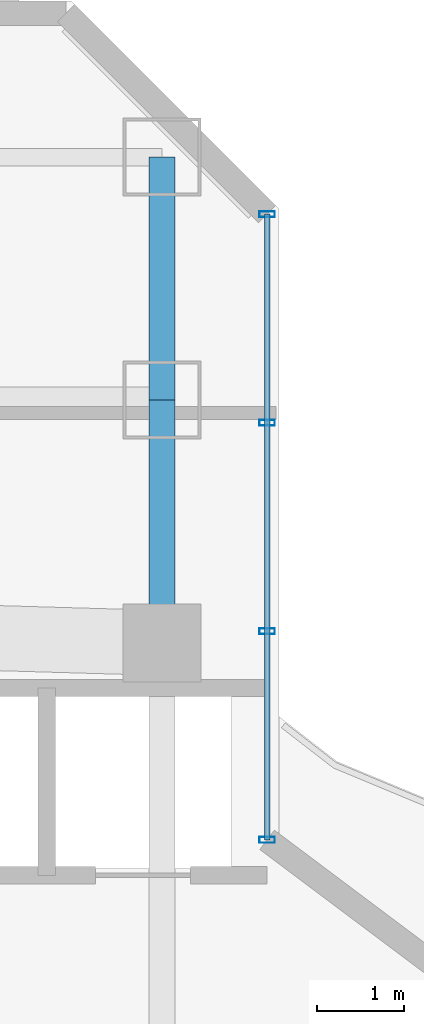
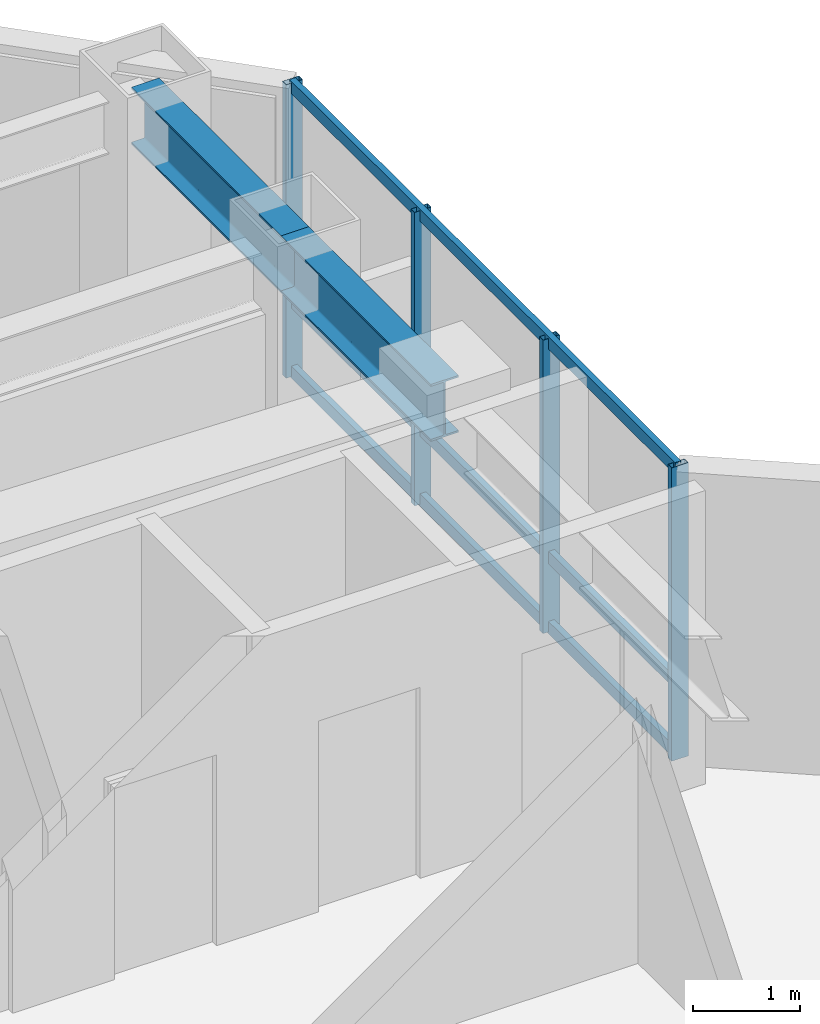
# One storey, part 19 of 29: 7 members, 2 beams, 1 element without a shape of its own.
"""IFC4 building model written with IfcOpenShell, lengths in metres."""

import ifcopenshell
import ifcopenshell.guid

model = None  # the IFC model being written
_history = None  # IfcOwnerHistory: only IFC2X3 demands one
_inside = {}  # id of a spatial element -> (the spatial element, [elements in it])
_under = {}  # id of a project, library or spatial element -> (it, [spatial elements below it])
_declared = {}  # id of a project -> (the project, [libraries it declares])
_typed = {}  # id of a type object -> (the type object, [elements of that type])
_made_of = {}  # id of a material, layer set ... -> (it, [elements and type objects made of it])


def new_model(schema):
    """Start an empty IFC model of exactly this schema.

    Asked for "IFC4X3", IfcOpenShell would pick the latest addendum, in which some entities
    have other attributes; the version numbers below select the first issue.
    IFC2X3 requires an IfcOwnerHistory on every rooted entity: one is made here for all.
    """
    global model, _history
    if schema == "IFC4X3":
        model = ifcopenshell.file(schema_version=(4, 3, 0, 0))
    else:
        model = ifcopenshell.file(schema=schema)
    _inside.clear()
    _under.clear()
    _declared.clear()
    _typed.clear()
    _made_of.clear()
    _history = None
    if model.schema == "IFC2X3":
        org = make("IfcOrganization", Name="unknown")
        user = make(
            "IfcPersonAndOrganization",
            ThePerson=make("IfcPerson", FamilyName="unknown"),
            TheOrganization=org,
        )
        app = make(
            "IfcApplication",
            ApplicationDeveloper=org,
            Version="unknown",
            ApplicationFullName="unknown",
            ApplicationIdentifier="unknown",
        )
        _history = make(
            "IfcOwnerHistory",
            OwningUser=user,
            OwningApplication=app,
            ChangeAction="ADDED",
            CreationDate=0,
        )
    return model


def make(cls, **values):
    """One entity of the class cls with the attributes given. An attribute that is None is left unset."""
    return model.create_entity(
        cls, **{name: value for name, value in values.items() if value is not None}
    )


def rooted(cls, **values):
    """An entity with a GlobalId (a new one), such as an element, a storey or a relation."""
    return make(cls, GlobalId=ifcopenshell.guid.new(), OwnerHistory=_history, **values)


def si_unit(unit_type, name, prefix=None):
    """IfcSIUnit, for example si_unit("LENGTHUNIT", "METRE", prefix="MILLI")."""
    return make("IfcSIUnit", UnitType=unit_type, Prefix=prefix, Name=name)


def assignment(units):
    """IfcUnitAssignment: the units of a project."""
    return None if units is None else make("IfcUnitAssignment", Units=units)


def point(xyz):
    """IfcCartesianPoint."""
    return None if xyz is None else make("IfcCartesianPoint", Coordinates=xyz)


def direction(xyz):
    """IfcDirection."""
    return None if xyz is None else make("IfcDirection", DirectionRatios=xyz)


def frame(location, z_axis=None, x_axis=None):
    """IfcAxis2Placement3D, a coordinate frame: its origin and axes. An axis left out is left unset."""
    return make(
        "IfcAxis2Placement3D",
        Location=point(location),
        Axis=direction(z_axis),
        RefDirection=direction(x_axis),
    )


def frame_2d(location, x_axis=None):
    """IfcAxis2Placement2D, a coordinate frame in the plane: its origin and x axis."""
    return make(
        "IfcAxis2Placement2D", Location=point(location), RefDirection=direction(x_axis)
    )


def origin():
    """The frame at (0, 0, 0) with its axes left unset."""
    return frame((0.0, 0.0, 0.0))


def origin_2d():
    """The frame at (0, 0) in the plane with its x axis left unset."""
    return frame_2d((0.0, 0.0))


def place(relative_to, where):
    """IfcLocalPlacement: puts the frame where relative to a parent placement (None: the world)."""
    return make(
        "IfcLocalPlacement", PlacementRelTo=relative_to, RelativePlacement=where
    )


def context(
    kind, dimensions, precision=None, world=None, true_north=None, identifier=None
):
    """IfcGeometricRepresentationContext, for example the 3D "Model" context."""
    return make(
        "IfcGeometricRepresentationContext",
        ContextIdentifier=identifier,
        ContextType=kind,
        CoordinateSpaceDimension=dimensions,
        Precision=precision,
        WorldCoordinateSystem=world,
        TrueNorth=true_north,
    )


def subcontext(parent, identifier, kind, view, scale=None):
    """IfcGeometricRepresentationSubContext, for example "Body" below "Model"."""
    return make(
        "IfcGeometricRepresentationSubContext",
        ContextIdentifier=identifier,
        ContextType=kind,
        ParentContext=parent,
        TargetScale=scale,
        TargetView=view,
    )


def project(units=None, contexts=None):
    """IfcProject with its units and contexts."""
    return rooted(
        "IfcProject",
        Name="project",
        RepresentationContexts=contexts,
        UnitsInContext=assignment(units),
    )


def spatial(cls, under=None, at=None, **own):
    """A site, building, storey or space (cls), placed at a placement, below another one or the project."""
    s = rooted(cls, ObjectPlacement=at, **own)
    if under is not None:
        _under.setdefault(under.id(), (under, []))[1].append(s)
    return s


def profile(cls, at=None, kind="AREA", **sizes):
    """A parametric profile (cls). Its sizes go by their IFC names, for example OverallWidth=200.0."""
    return make(cls, ProfileType=kind, Position=at, **sizes)


def hollow_rectangle(**sizes):
    """IfcRectangleHollowProfileDef."""
    return profile("IfcRectangleHollowProfileDef", **sizes)


def i_section(**sizes):
    """IfcIShapeProfileDef."""
    return profile("IfcIShapeProfileDef", **sizes)


def extrude(swept, where, along, depth):
    """IfcExtrudedAreaSolid: the profile swept, set in the frame where, extruded along a direction by depth."""
    return make(
        "IfcExtrudedAreaSolid",
        SweptArea=swept,
        Position=where,
        ExtrudedDirection=direction(along),
        Depth=depth,
    )


def shape(context_of_items, identifier, shape_type, items):
    """IfcShapeRepresentation: the items that make up one representation, for example the "Body"."""
    return make(
        "IfcShapeRepresentation",
        ContextOfItems=context_of_items,
        RepresentationIdentifier=identifier,
        RepresentationType=shape_type,
        Items=items,
    )


def material(Name=None, Category=None):
    """IfcMaterial."""
    return make("IfcMaterial", Name=Name, Category=Category)


def layer(
    of_material, thickness, ventilated=None, Name=None, Category=None, Priority=None
):
    """IfcMaterialLayer: one layer of a wall or slab, of a material (None: an air gap)."""
    return make(
        "IfcMaterialLayer",
        Material=of_material,
        LayerThickness=thickness,
        IsVentilated=ventilated,
        Name=Name,
        Category=Category,
        Priority=Priority,
    )


def layer_set(layers, Name=None):
    """IfcMaterialLayerSet."""
    return make("IfcMaterialLayerSet", MaterialLayers=layers, LayerSetName=Name)


def material_profile(
    of_material, cross_section, Name=None, Category=None, Priority=None
):
    """IfcMaterialProfile: a cross section and its material."""
    return make(
        "IfcMaterialProfile",
        Name=Name,
        Material=of_material,
        Profile=cross_section,
        Priority=Priority,
        Category=Category,
    )


def profile_set(profiles, Name=None, composite=None):
    """IfcMaterialProfileSet."""
    return make(
        "IfcMaterialProfileSet",
        Name=Name,
        MaterialProfiles=profiles,
        CompositeProfile=composite,
    )


def made_of(thing, what):
    """Note that an element or type object is made of a material, layer set ...; save() writes the relation."""
    if what is not None:
        _made_of.setdefault(what.id(), (what, []))[1].append(thing)
    return thing


def type_object(cls, material=None, **own):
    """A type object (cls), such as IfcWallType, which elements share."""
    return made_of(rooted(cls, **own), material)


def element(
    cls,
    number,
    at=None,
    inside=None,
    cuts=None,
    type_object=None,
    material=None,
    context=None,
    identifier="Body",
    shape_type=None,
    held_by="IfcProductDefinitionShape",
    body=None,
    shapes=None,
    **own,
):
    """One element of the class cls, such as IfcWall. Its Tag is "e" and its number.

    at: its placement. inside: the storey or other place that contains it. cuts: it is an
    opening in that element (IfcRelVoidsElement). A single representation is given by context,
    identifier, shape_type and body (its items); several are given by shapes. held_by: the class
    of the entity that holds the representations. save() writes the other relations.
    """
    e = rooted(cls, Tag="e%d" % number, ObjectPlacement=at, **own)
    if body is not None:
        shapes = [shape(context, identifier, shape_type, body)]
    if shapes is not None:
        e.Representation = make(held_by, Representations=shapes)
    if inside is not None:
        _inside.setdefault(inside.id(), (inside, []))[1].append(e)
    if cuts is not None:
        rooted(
            "IfcRelVoidsElement", RelatingBuildingElement=cuts, RelatedOpeningElement=e
        )
    if type_object is not None:
        _typed.setdefault(type_object.id(), (type_object, []))[1].append(e)
    return made_of(e, material)


def aggregate(whole, parts):
    """IfcRelAggregates: a whole, such as a stair, and the parts it consists of."""
    return rooted("IfcRelAggregates", RelatingObject=whole, RelatedObjects=parts)


def save(model, path):
    """Write the relations noted so far, then the file.

    IfcRelAggregates (storeys below a building ...), IfcRelContainedInSpatialStructure (elements
    in a storey), IfcRelDefinesByType, IfcRelAssociatesMaterial and IfcRelDeclares: one each for
    every whole, place, type object, material and project.
    """
    for whole, parts in _under.values():
        aggregate(whole, parts)
    for where, things in _inside.values():
        rooted(
            "IfcRelContainedInSpatialStructure",
            RelatedElements=things,
            RelatingStructure=where,
        )
    for kind, things in _typed.values():
        rooted("IfcRelDefinesByType", RelatedObjects=things, RelatingType=kind)
    for what, things in _made_of.values():
        rooted("IfcRelAssociatesMaterial", RelatedObjects=things, RelatingMaterial=what)
    for by, libraries in _declared.values():
        rooted("IfcRelDeclares", RelatingContext=by, RelatedDefinitions=libraries)
    model.write(path)


model = new_model("IFC4")

# Units and contexts
model_context = context("Model", 3, precision=1e-05, world=origin(), true_north=direction((0.0, 1.0)))
body_context = subcontext(model_context, "Body", "Model", "MODEL_VIEW")
ifc_project = project(units=[si_unit("LENGTHUNIT", "METRE"), si_unit("AREAUNIT", "SQUARE_METRE"), si_unit("VOLUMEUNIT", "CUBIC_METRE"), si_unit("PLANEANGLEUNIT", "RADIAN"), si_unit("MASSUNIT", "GRAM", prefix="KILO")], contexts=[model_context])

# Site, building, storey
site_placement = place(None, origin())
site = spatial("IfcSite", under=ifc_project, at=site_placement, CompositionType="ELEMENT")
building_placement = place(site_placement, origin())
building = spatial("IfcBuilding", under=site, at=building_placement, Name="Hatsunagi Terrace Concourse", CompositionType="ELEMENT")
storey_placement = place(building_placement, frame((0.0, 0.0, 119.25)))
storey = spatial("IfcBuildingStorey", under=building, at=storey_placement, Name="L31", CompositionType="ELEMENT", Elevation=119.25)

# Curtain wall, members
ifc_material_1 = material(Name="Anodised Aluminium Alloy 6063-T5", Category="aluminium")
ifc_layer = layer(ifc_material_1, 0.199951171875)
ifc_layer_set = layer_set([ifc_layer], Name="OfficeZone1_CW03")
curtain_wall_type = type_object("IfcCurtainWallType", Name="OfficeZone1_CW03", PredefinedType="NOTDEFINED", material=ifc_layer_set)
curtain_wall_placement = place(storey_placement, origin())
curtain_wall = element("IfcCurtainWall", 1, at=curtain_wall_placement, inside=storey, type_object=curtain_wall_type, Name="Unitised Curtain Wall CW-03 CW-L31-13", PredefinedType="NOTDEFINED")
ifc_material_2 = material(Name="Anodised Aluminium Alloy 6063-T5", Category="aluminium")
ifc_material_profile_1 = material_profile(ifc_material_2, hollow_rectangle(XDim=0.070068359375, YDim=0.179931640625, WallThickness=0.00390625, at=origin_2d()), Name="ALU-MUL-180x70x4")
ifc_profile_set_1 = profile_set([ifc_material_profile_1], Name="Anodised Aluminium Alloy 6063-T5")
member_type_1 = type_object("IfcMemberType", Name="CurtainWallMullion_180x70", PredefinedType="MULLION", material=ifc_profile_set_1)
member_1_placement = place(storey_placement, frame((44.860107421875, 47.94189453125, 0.0), z_axis=(0.0, 0.0, 1.0), x_axis=(0.0, -1.0, 0.0)))
member_1 = element("IfcMember", 2, at=member_1_placement, type_object=member_type_1, Name="Curtain Wall Mullion MUL-02", PredefinedType="MULLION", context=body_context, shape_type="SweptSolid", body=[
    extrude(hollow_rectangle(XDim=0.070068359375, YDim=0.179931640625, WallThickness=0.00390625, at=origin_2d()), origin(), (0.0, 0.0, 1.0), 3.35009765625),
])
member_2_placement = place(storey_placement, frame((44.860107421875, 45.5380859375, 0.0), z_axis=(0.0, 0.0, 1.0), x_axis=(0.0, -1.0, 0.0)))
member_2 = element("IfcMember", 3, at=member_2_placement, type_object=member_type_1, Name="Curtain Wall Mullion MUL-02", PredefinedType="MULLION", context=body_context, shape_type="SweptSolid", body=[
    extrude(hollow_rectangle(XDim=0.070068359375, YDim=0.179931640625, WallThickness=0.00390625, at=origin_2d()), origin(), (0.0, 0.0, 1.0), 3.35009765625),
])
member_3_placement = place(storey_placement, frame((44.860107421875, 43.134033203125, 0.0), z_axis=(0.0, 0.0, 1.0), x_axis=(0.0, -1.0, 0.0)))
member_3 = element("IfcMember", 4, at=member_3_placement, type_object=member_type_1, Name="Curtain Wall Mullion MUL-02", PredefinedType="MULLION", context=body_context, shape_type="SweptSolid", body=[
    extrude(hollow_rectangle(XDim=0.070068359375, YDim=0.179931640625, WallThickness=0.00390625, at=origin_2d()), origin(), (0.0, 0.0, 1.0), 3.35009765625),
])
member_4_placement = place(storey_placement, frame((44.860107421875, 40.72998046875, 0.0), z_axis=(0.0, 0.0, 1.0), x_axis=(0.0, -1.0, 0.0)))
member_4 = element("IfcMember", 5, at=member_4_placement, type_object=member_type_1, Name="Curtain Wall Mullion MUL-02", PredefinedType="MULLION", context=body_context, shape_type="SweptSolid", body=[
    extrude(hollow_rectangle(XDim=0.070068359375, YDim=0.179931640625, WallThickness=0.00390625, at=origin_2d()), origin(), (0.0, 0.0, 1.0), 3.35009765625),
])
ifc_material_3 = material(Name="Anodised Aluminium Alloy 6063-T5", Category="aluminium")
ifc_material_profile_2 = material_profile(ifc_material_3, hollow_rectangle(XDim=0.06494140625, YDim=0.139892578125, WallThickness=0.00390625, at=origin_2d()), Name="ALU-TRN-140x65x4")
ifc_profile_set_2 = profile_set([ifc_material_profile_2], Name="Anodised Aluminium Alloy 6063-T5")
member_type_2 = type_object("IfcMemberType", Name="CurtainWallTransom_140x65", PredefinedType="USERDEFINED", material=ifc_profile_set_2)
member_5_placement = place(storey_placement, frame((44.860107421875, 47.94189453125, 0.050048828125), z_axis=(0.0, -1.0, 0.0), x_axis=(1.0, 0.0, 0.0)))
member_5 = element("IfcMember", 6, at=member_5_placement, type_object=member_type_2, Name="Curtain Wall Transom TRN-02", ObjectType="TRANSOM", PredefinedType="USERDEFINED", context=body_context, shape_type="SweptSolid", body=[
    extrude(hollow_rectangle(XDim=0.06494140625, YDim=0.139892578125, WallThickness=0.00390625, at=origin_2d()), origin(), (0.0, 0.0, 1.0), 7.2119140625),
])
member_6_placement = place(storey_placement, frame((44.860107421875, 47.94189453125, 0.85009765625), z_axis=(0.0, -1.0, 0.0), x_axis=(1.0, 0.0, 0.0)))
member_6 = element("IfcMember", 7, at=member_6_placement, type_object=member_type_2, Name="Curtain Wall Transom TRN-02", ObjectType="TRANSOM", PredefinedType="USERDEFINED", context=body_context, shape_type="SweptSolid", body=[
    extrude(hollow_rectangle(XDim=0.06494140625, YDim=0.139892578125, WallThickness=0.00390625, at=origin_2d()), origin(), (0.0, 0.0, 1.0), 7.2119140625),
])
member_7_placement = place(storey_placement, frame((44.860107421875, 47.94189453125, 3.300048828125), z_axis=(0.0, -1.0, 0.0), x_axis=(1.0, 0.0, 0.0)))
member_7 = element("IfcMember", 8, at=member_7_placement, type_object=member_type_2, Name="Curtain Wall Transom TRN-02", ObjectType="TRANSOM", PredefinedType="USERDEFINED", context=body_context, shape_type="SweptSolid", body=[
    extrude(hollow_rectangle(XDim=0.06494140625, YDim=0.139892578125, WallThickness=0.00390625, at=origin_2d()), origin(), (0.0, 0.0, 1.0), 7.2119140625),
])
aggregate(curtain_wall, [member_1, member_2, member_3, member_4, member_5, member_6, member_7])

# Beams
ifc_material_4 = material(Name="Steel SN490B", Category="steel")
ifc_material_profile_3 = material_profile(ifc_material_4, i_section(OverallWidth=0.300048828125, OverallDepth=0.64990234375, WebThickness=0.012939453125, FlangeThickness=0.02197265625, FilletRadius=0.01806640625, at=origin_2d()), Name="H-650x300x13x22")
ifc_profile_set_3 = profile_set([ifc_material_profile_3], Name="Steel SN490B")
beam_type = type_object("IfcBeamType", Name="OfficeLowGirder_H_650x300", PredefinedType="BEAM", material=ifc_profile_set_3)
for number, where, z_axis, x_axis, name in (
    (9, (43.64990234375, 43.0, 3.02490234375), (0.0, 1.0, 0.0), (-1.0, 0.0, 0.0), "Beam G-05 BM-L31-CN3"),
    (10, (43.64990234375, 45.800048828125, 3.02490234375), (0.0, 1.0, 0.0), (-1.0, 0.0, 0.0), "Beam G-05 BM-L31-KN-WN6"),
):
    element("IfcBeam", number, at=place(storey_placement, frame(where, z_axis=z_axis, x_axis=x_axis)), inside=storey, type_object=beam_type, Name=name, PredefinedType="BEAM", context=body_context, shape_type="SweptSolid", body=[
        extrude(i_section(OverallWidth=0.300048828125, OverallDepth=0.64990234375, WebThickness=0.012939453125, FlangeThickness=0.02197265625, FilletRadius=0.01806640625, at=origin_2d()), origin(), (0.0, 0.0, 1.0), 2.800048828125),
    ])

save(model, "model.ifc")
